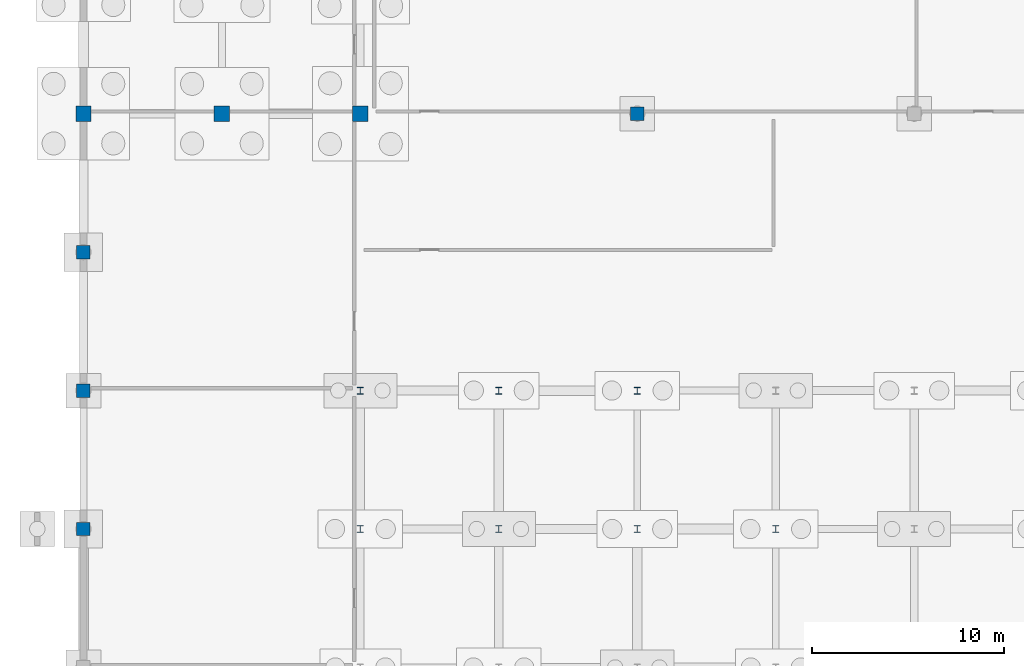
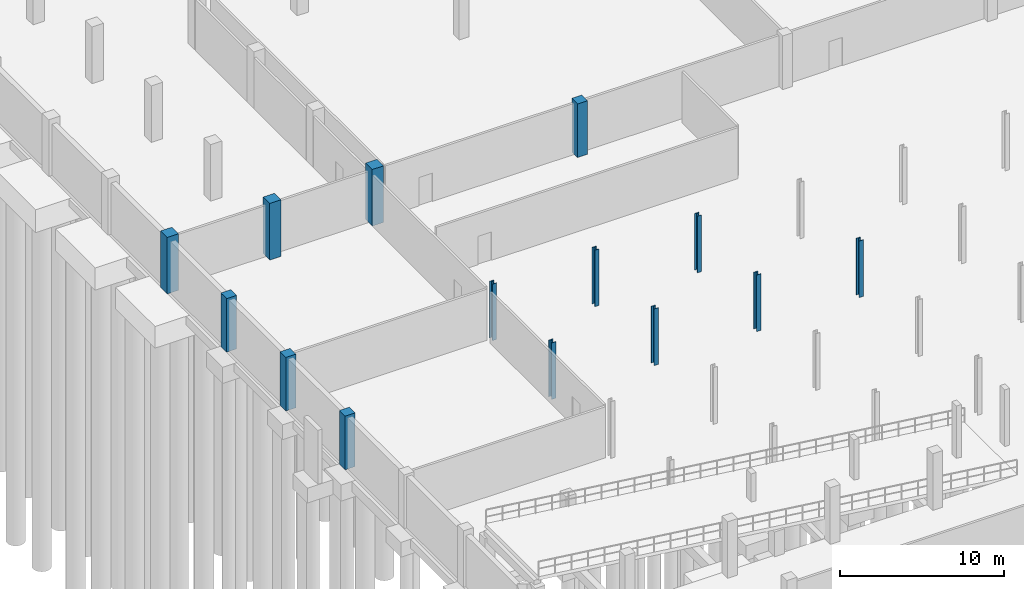
# One storey, part 25 of 56: 14 columns.
"""IFC4 building model written with IfcOpenShell, lengths in metres."""

from ifc_helpers import new_model, si_unit, direction, frame, origin, origin_2d, place, context, subcontext, project, spatial, rectangle, i_section, extrude, material, material_profile, profile_set, type_object, element, save


model = new_model("IFC4")

# Units and contexts
model_context = context("Model", 3, precision=1e-05, world=origin(), true_north=direction((0.0, 1.0)))
body_context = subcontext(model_context, "Body", "Model", "MODEL_VIEW")
ifc_project = project(units=[si_unit("LENGTHUNIT", "METRE"), si_unit("AREAUNIT", "SQUARE_METRE"), si_unit("VOLUMEUNIT", "CUBIC_METRE"), si_unit("PLANEANGLEUNIT", "RADIAN"), si_unit("MASSUNIT", "GRAM", prefix="KILO")], contexts=[model_context])

# Site, building, storey
site_placement = place(None, origin())
site = spatial("IfcSite", under=ifc_project, at=site_placement, CompositionType="ELEMENT")
building_placement = place(site_placement, origin())
building = spatial("IfcBuilding", under=site, at=building_placement, Name="Suanplinth Sawtooth Commons", CompositionType="ELEMENT")
storey_placement = place(building_placement, frame((0.0, 0.0, -4.199951171875)))
storey = spatial("IfcBuildingStorey", under=building, at=storey_placement, Name="B1", CompositionType="ELEMENT", Elevation=-4.199951171875)

# Columns
ifc_material_1 = material(Name="Concrete C40/50", Category="concrete")
ifc_material_profile_1 = material_profile(ifc_material_1, rectangle(XDim=0.800048828125, YDim=0.800048828125, at=origin_2d()), Name="RC-COL 800x800")
ifc_profile_set_1 = profile_set([ifc_material_profile_1], Name="Concrete C40/50")
column_type_1 = type_object("IfcColumnType", Name="C-01", PredefinedType="COLUMN", material=ifc_profile_set_1)
for number, where, z_axis, x_axis, name in (
    (1, (0.0, 86.39990234375, 0.0), (0.0, 0.0, 1.0), (1.0, 0.0, 0.0), "Column B1 1/N"),
    (2, (7.199951171875, 86.39990234375, 0.0), (0.0, 0.0, 1.0), (1.0, 0.0, 0.0), "Column B1 2/N"),
    (3, (14.39990234375, 86.39990234375, 0.0), (0.0, 0.0, 1.0), (1.0, 0.0, 0.0), "Column B1 3/N"),
):
    element("IfcColumn", number, at=place(storey_placement, frame(where, z_axis=z_axis, x_axis=x_axis)), inside=storey, type_object=column_type_1, Name=name, PredefinedType="COLUMN", context=body_context, shape_type="SweptSolid", body=[
        extrude(rectangle(XDim=0.800048828125, YDim=0.800048828125, at=origin_2d()), origin(), (0.0, 0.0, 1.0), 4.199951171875),
    ])
ifc_material_profile_2 = material_profile(ifc_material_1, rectangle(XDim=0.699951171875, YDim=0.699951171875, at=origin_2d()), Name="RC-COL 700x700")
ifc_profile_set_2 = profile_set([ifc_material_profile_2], Name="Concrete C40/50")
column_type_2 = type_object("IfcColumnType", Name="C-02", PredefinedType="COLUMN", material=ifc_profile_set_2)
for number, where, z_axis, x_axis, name in (
    (4, (0.0, 64.800048828125, 0.0), (0.0, 0.0, 1.0), (1.0, 0.0, 0.0), "Column B1 1/K"),
    (5, (0.0, 72.0, 0.0), (0.0, 0.0, 1.0), (1.0, 0.0, 0.0), "Column B1 1/L"),
    (6, (0.0, 79.199951171875, 0.0), (0.0, 0.0, 1.0), (1.0, 0.0, 0.0), "Column B1 1/M"),
    (7, (28.800048828125, 86.39990234375, 0.0), (0.0, 0.0, 1.0), (1.0, 0.0, 0.0), "Column B1 5/N"),
):
    element("IfcColumn", number, at=place(storey_placement, frame(where, z_axis=z_axis, x_axis=x_axis)), inside=storey, type_object=column_type_2, Name=name, PredefinedType="COLUMN", context=body_context, shape_type="SweptSolid", body=[
        extrude(rectangle(XDim=0.699951171875, YDim=0.699951171875, at=origin_2d()), origin(), (0.0, 0.0, 1.0), 3.97998046875),
    ])
ifc_material_2 = material(Name="Steel S355JR", Category="steel")
ifc_material_profile_3 = material_profile(ifc_material_2, i_section(OverallWidth=0.300048828125, OverallDepth=0.360107421875, WebThickness=0.012451171875, FlangeThickness=0.0224609375, at=origin_2d()), Name="HEB 360")
ifc_profile_set_3 = profile_set([ifc_material_profile_3], Name="Steel S355JR")
column_type_3 = type_object("IfcColumnType", Name="C-10", PredefinedType="COLUMN", material=ifc_profile_set_3)
for number, where, z_axis, x_axis, name in (
    (8, (14.39990234375, 64.800048828125, 0.0), (0.0, 0.0, 1.0), (1.0, 0.0, 0.0), "Column B1 3/K"),
    (9, (14.39990234375, 72.0, 0.0), (0.0, 0.0, 1.0), (1.0, 0.0, 0.0), "Column B1 3/L"),
    (10, (21.60009765625, 64.800048828125, 0.0), (0.0, 0.0, 1.0), (1.0, 0.0, 0.0), "Column B1 4/K"),
    (11, (21.60009765625, 72.0, 0.0), (0.0, 0.0, 1.0), (1.0, 0.0, 0.0), "Column B1 4/L"),
    (12, (28.800048828125, 64.800048828125, 0.0), (0.0, 0.0, 1.0), (1.0, 0.0, 0.0), "Column B1 5/K"),
    (13, (28.800048828125, 72.0, 0.0), (0.0, 0.0, 1.0), (1.0, 0.0, 0.0), "Column B1 5/L"),
    (14, (36.0, 64.800048828125, 0.0), (0.0, 0.0, 1.0), (1.0, 0.0, 0.0), "Column B1 6/K"),
):
    element("IfcColumn", number, at=place(storey_placement, frame(where, z_axis=z_axis, x_axis=x_axis)), inside=storey, type_object=column_type_3, Name=name, PredefinedType="COLUMN", context=body_context, shape_type="SweptSolid", body=[
        extrude(i_section(OverallWidth=0.300048828125, OverallDepth=0.360107421875, WebThickness=0.012451171875, FlangeThickness=0.0224609375, at=origin_2d()), origin(), (0.0, 0.0, 1.0), 4.199951171875),
    ])

save(model, "model.ifc")
